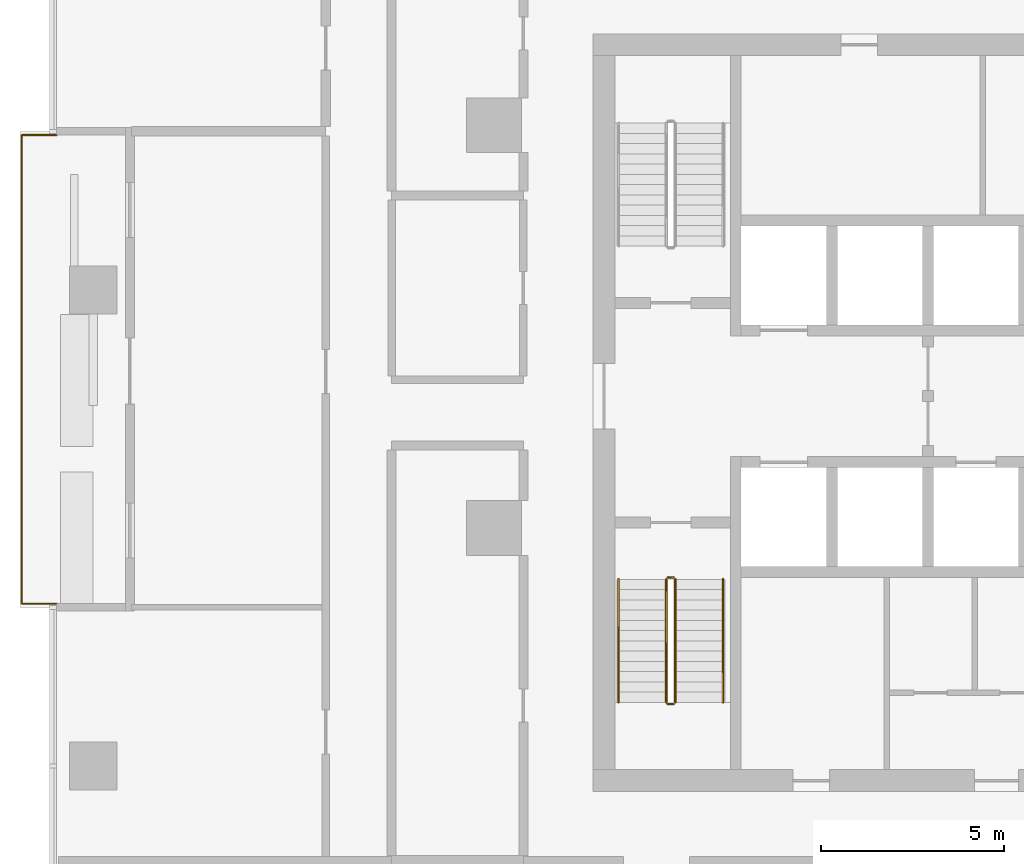
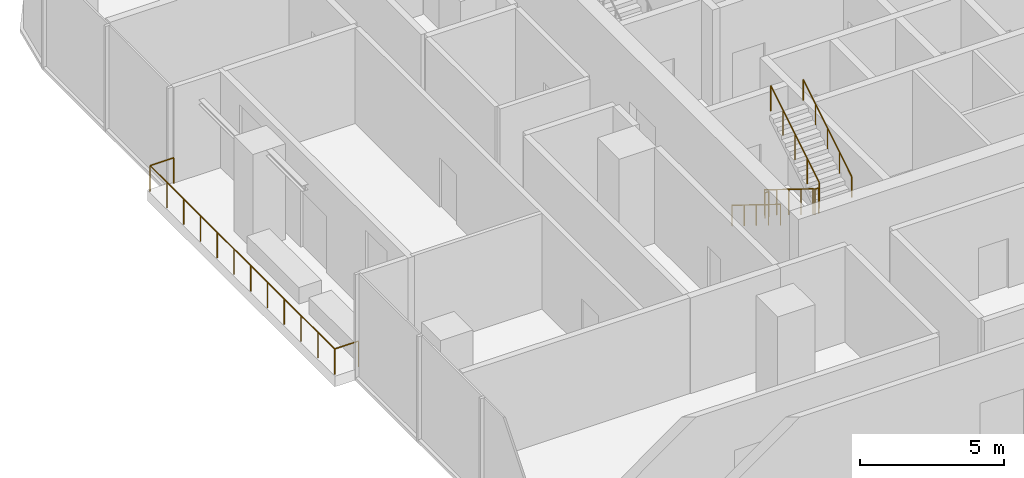
# One storey, part 12 of 15: 6 railings.
"""IFC4 building model written with IfcOpenShell, lengths in metres."""

from ifc_helpers import new_model, si_unit, direction, frame, origin, origin_2d, place, context, subcontext, project, spatial, circle, extrude, material, type_object, element, save


model = new_model("IFC4")

# Units and contexts
model_context = context("Model", 3, precision=1e-05, world=origin(), true_north=direction((0.0, 1.0)))
body_context = subcontext(model_context, "Body", "Model", "MODEL_VIEW")
ifc_project = project(units=[si_unit("LENGTHUNIT", "METRE"), si_unit("AREAUNIT", "SQUARE_METRE"), si_unit("VOLUMEUNIT", "CUBIC_METRE"), si_unit("PLANEANGLEUNIT", "RADIAN"), si_unit("MASSUNIT", "GRAM", prefix="KILO")], contexts=[model_context])

# Site, building, storey
site_placement = place(None, origin())
site = spatial("IfcSite", under=ifc_project, at=site_placement, CompositionType="ELEMENT")
building_placement = place(site_placement, origin())
building = spatial("IfcBuilding", under=site, at=building_placement, Name="Mopane Tessera Tower", CompositionType="ELEMENT")
storey_placement = place(building_placement, frame((0.0, 0.0, 99.10009765625)))
storey = spatial("IfcBuildingStorey", under=building, at=storey_placement, Name="L19", CompositionType="ELEMENT", Elevation=99.10009765625)

# Railings
ifc_material_1 = material(Name="Powder-coated steel balustrade", Category="steel")
railing_type_1 = type_object("IfcRailingType", Name="Escape stair guard 1100 mm", PredefinedType="GUARDRAIL", material=ifc_material_1)
railing_1_placement = place(storey_placement, frame((-12.39990234375, -1.39990234375, 0.173095703125)))
element("IfcRailing", 1, at=railing_1_placement, inside=storey, type_object=railing_type_1, Name="L19 ST1 stair guard 1", PredefinedType="GUARDRAIL", context=body_context, shape_type="SweptSolid", body=[
    extrude(circle(Radius=0.02392578125, at=origin_2d()), frame((0.0, 0.0, 1.076171875), z_axis=(0.0, -0.850623216509, 0.525775754039), x_axis=(1.0, 0.0, 0.0)), (0.0, 0.0, 1.0), 3.9501953125),
    extrude(circle(Radius=0.02392578125, at=origin_2d()), frame((0.0, -3.360107421875, 3.15283203125), z_axis=(0.705375805398, -0.708833529934, 0.0), x_axis=(0.708833529934, 0.705375805398, 0.0)), (0.0, 0.0, 1.0), 0.070556640625),
    extrude(circle(Radius=0.02392578125, at=origin_2d()), frame((0.0498046875, -3.41015625, 3.15283203125), z_axis=(1.0, 0.0, 0.0), x_axis=(0.0, 1.0, 0.0)), (0.0, 0.0, 1.0), 0.150146484375),
    extrude(circle(Radius=0.02099609375, at=origin_2d()), origin(), (0.0, 0.0, 1.0), 1.052001953125),
    extrude(circle(Radius=0.02099609375, at=origin_2d()), frame((0.0, -0.840087890625, 0.519287109375)), (0.0, 0.0, 1.0), 1.052001953125),
    extrude(circle(Radius=0.02099609375, at=origin_2d()), frame((0.0, -1.68017578125, 1.03857421875)), (0.0, 0.0, 1.0), 1.052001953125),
    extrude(circle(Radius=0.02099609375, at=origin_2d()), frame((0.0, -2.52001953125, 1.5576171875)), (0.0, 0.0, 1.0), 1.052001953125),
    extrude(circle(Radius=0.02099609375, at=origin_2d()), frame((0.0, -3.360107421875, 2.076904296875)), (0.0, 0.0, 1.0), 1.052001953125),
    extrude(circle(Radius=0.02099609375, at=origin_2d()), frame((0.0498046875, -3.41015625, 2.076904296875)), (0.0, 0.0, 1.0), 1.052001953125),
    extrude(circle(Radius=0.02099609375, at=origin_2d()), frame((0.199951171875, -3.41015625, 2.076904296875)), (0.0, 0.0, 1.0), 1.052001953125),
])
railing_2_placement = place(storey_placement, frame((-12.14990234375, -4.760009765625, 2.423095703125)))
element("IfcRailing", 2, at=railing_2_placement, inside=storey, type_object=railing_type_1, Name="L19 ST1 stair guard 2", PredefinedType="GUARDRAIL", context=body_context, shape_type="SweptSolid", body=[
    extrude(circle(Radius=0.02392578125, at=origin_2d()), frame((0.0, 0.0, 1.076171875), z_axis=(0.0, 0.850623216509, 0.525775754039), x_axis=(-1.0, 0.0, 0.0)), (0.0, 0.0, 1.0), 3.9501953125),
    extrude(circle(Radius=0.02099609375, at=origin_2d()), origin(), (0.0, 0.0, 1.0), 1.052001953125),
    extrude(circle(Radius=0.02099609375, at=origin_2d()), frame((0.0, 0.840087890625, 0.519287109375)), (0.0, 0.0, 1.0), 1.052001953125),
    extrude(circle(Radius=0.02099609375, at=origin_2d()), frame((0.0, 1.68017578125, 1.03857421875)), (0.0, 0.0, 1.0), 1.052001953125),
    extrude(circle(Radius=0.02099609375, at=origin_2d()), frame((0.0, 2.52001953125, 1.5576171875)), (0.0, 0.0, 1.0), 1.052001953125),
    extrude(circle(Radius=0.02099609375, at=origin_2d()), frame((0.0, 3.360107421875, 2.076904296875)), (0.0, 0.0, 1.0), 1.052001953125),
])
railing_3_placement = place(storey_placement, frame((-12.35009765625, -1.35009765625, 0.0)))
element("IfcRailing", 3, at=railing_3_placement, inside=storey, type_object=railing_type_1, Name="L19 ST1 stair guard 3", PredefinedType="GUARDRAIL", context=body_context, shape_type="SweptSolid", body=[
    extrude(circle(Radius=0.02392578125, at=origin_2d()), frame((0.0, 0.0, 1.076171875), z_axis=(1.0, 0.0, 0.0), x_axis=(0.0, 1.0, 0.0)), (0.0, 0.0, 1.0), 0.150146484375),
    extrude(circle(Radius=0.02099609375, at=origin_2d()), origin(), (0.0, 0.0, 1.0), 1.052001953125),
    extrude(circle(Radius=0.02099609375, at=origin_2d()), frame((0.150146484375, 0.0, 0.0)), (0.0, 0.0, 1.0), 1.052001953125),
])
ifc_material_2 = material(Name="Powder-coated steel balustrade", Category="steel")
railing_type_2 = type_object("IfcRailingType", Name="Escape stair handrail 900 mm", PredefinedType="HANDRAIL", material=ifc_material_2)
railing_4_placement = place(storey_placement, frame((-13.699951171875, -1.39990234375, 0.173095703125)))
element("IfcRailing", 4, at=railing_4_placement, inside=storey, type_object=railing_type_2, Name="L19 ST1 stair handrail 1", PredefinedType="HANDRAIL", context=body_context, shape_type="SweptSolid", body=[
    extrude(circle(Radius=0.02392578125, at=origin_2d()), frame((0.0, 0.0, 0.8759765625), z_axis=(0.0, -0.850623216509, 0.525775754039), x_axis=(1.0, 0.0, 0.0)), (0.0, 0.0, 1.0), 3.9501953125),
    extrude(circle(Radius=0.02099609375, at=origin_2d()), origin(), (0.0, 0.0, 1.0), 0.851806640625),
    extrude(circle(Radius=0.02099609375, at=origin_2d()), frame((0.0, -0.840087890625, 0.519287109375)), (0.0, 0.0, 1.0), 0.851806640625),
    extrude(circle(Radius=0.02099609375, at=origin_2d()), frame((0.0, -1.68017578125, 1.03857421875)), (0.0, 0.0, 1.0), 0.851806640625),
    extrude(circle(Radius=0.02099609375, at=origin_2d()), frame((0.0, -2.52001953125, 1.5576171875)), (0.0, 0.0, 1.0), 0.851806640625),
    extrude(circle(Radius=0.02099609375, at=origin_2d()), frame((0.0, -3.360107421875, 2.076904296875)), (0.0, 0.0, 1.0), 0.851806640625),
])
railing_5_placement = place(storey_placement, frame((-10.85009765625, -4.760009765625, 2.423095703125)))
element("IfcRailing", 5, at=railing_5_placement, inside=storey, type_object=railing_type_2, Name="L19 ST1 stair handrail 2", PredefinedType="HANDRAIL", context=body_context, shape_type="SweptSolid", body=[
    extrude(circle(Radius=0.02392578125, at=origin_2d()), frame((0.0, 0.0, 0.8759765625), z_axis=(0.0, 0.850623216509, 0.525775754039), x_axis=(-1.0, 0.0, 0.0)), (0.0, 0.0, 1.0), 3.9501953125),
    extrude(circle(Radius=0.02099609375, at=origin_2d()), origin(), (0.0, 0.0, 1.0), 0.851806640625),
    extrude(circle(Radius=0.02099609375, at=origin_2d()), frame((0.0, 0.840087890625, 0.519287109375)), (0.0, 0.0, 1.0), 0.851806640625),
    extrude(circle(Radius=0.02099609375, at=origin_2d()), frame((0.0, 1.68017578125, 1.03857421875)), (0.0, 0.0, 1.0), 0.851806640625),
    extrude(circle(Radius=0.02099609375, at=origin_2d()), frame((0.0, 2.52001953125, 1.5576171875)), (0.0, 0.0, 1.0), 0.851806640625),
    extrude(circle(Radius=0.02099609375, at=origin_2d()), frame((0.0, 3.360107421875, 2.076904296875)), (0.0, 0.0, 1.0), 0.851806640625),
])
ifc_material_3 = material(Name="Stainless steel S316", Category="steel")
railing_type_3 = type_object("IfcRailingType", Name="Terrace guard 1100", PredefinedType="GUARDRAIL", material=ifc_material_3)
railing_6_placement = place(storey_placement, frame((-29.050048828125, 10.7333984375, 0.0)))
element("IfcRailing", 6, at=railing_6_placement, inside=storey, type_object=railing_type_3, Name="e:nw:L19:N2:guard", PredefinedType="GUARDRAIL", context=body_context, shape_type="SweptSolid", body=[
    extrude(circle(Radius=0.02392578125, at=origin_2d()), frame((0.0, 0.0, 1.076171875), z_axis=(-1.0, 0.0, 0.0), x_axis=(0.0, -1.0, 0.0)), (0.0, 0.0, 1.0), 0.949951171875),
    extrude(circle(Radius=0.02392578125, at=origin_2d()), frame((-0.949951171875, 0.0, 1.076171875), z_axis=(0.0, -1.0, 0.0), x_axis=(1.0, 0.0, 0.0)), (0.0, 0.0, 1.0), 12.800048828125),
    extrude(circle(Radius=0.02392578125, at=origin_2d()), frame((-0.949951171875, -12.800048828125, 1.076171875), z_axis=(1.0, 0.0, 0.0), x_axis=(0.0, 1.0, 0.0)), (0.0, 0.0, 1.0), 0.949951171875),
    extrude(circle(Radius=0.02099609375, at=origin_2d()), origin(), (0.0, 0.0, 1.0), 1.052001953125),
    extrude(circle(Radius=0.02099609375, at=origin_2d()), frame((-0.949951171875, 0.0, 0.0)), (0.0, 0.0, 1.0), 1.052001953125),
    extrude(circle(Radius=0.02099609375, at=origin_2d()), frame((-0.949951171875, -1.16357421875, 0.0)), (0.0, 0.0, 1.0), 1.052001953125),
    extrude(circle(Radius=0.02099609375, at=origin_2d()), frame((-0.949951171875, -2.327392578125, 0.0)), (0.0, 0.0, 1.0), 1.052001953125),
    extrude(circle(Radius=0.02099609375, at=origin_2d()), frame((-0.949951171875, -3.490966796875, 0.0)), (0.0, 0.0, 1.0), 1.052001953125),
    extrude(circle(Radius=0.02099609375, at=origin_2d()), frame((-0.949951171875, -4.654541015625, 0.0)), (0.0, 0.0, 1.0), 1.052001953125),
    extrude(circle(Radius=0.02099609375, at=origin_2d()), frame((-0.949951171875, -5.818115234375, 0.0)), (0.0, 0.0, 1.0), 1.052001953125),
    extrude(circle(Radius=0.02099609375, at=origin_2d()), frame((-0.949951171875, -6.98193359375, 0.0)), (0.0, 0.0, 1.0), 1.052001953125),
    extrude(circle(Radius=0.02099609375, at=origin_2d()), frame((-0.949951171875, -8.1455078125, 0.0)), (0.0, 0.0, 1.0), 1.052001953125),
    extrude(circle(Radius=0.02099609375, at=origin_2d()), frame((-0.949951171875, -9.30908203125, 0.0)), (0.0, 0.0, 1.0), 1.052001953125),
    extrude(circle(Radius=0.02099609375, at=origin_2d()), frame((-0.949951171875, -10.47265625, 0.0)), (0.0, 0.0, 1.0), 1.052001953125),
    extrude(circle(Radius=0.02099609375, at=origin_2d()), frame((-0.949951171875, -11.636474609375, 0.0)), (0.0, 0.0, 1.0), 1.052001953125),
    extrude(circle(Radius=0.02099609375, at=origin_2d()), frame((-0.949951171875, -12.800048828125, 0.0)), (0.0, 0.0, 1.0), 1.052001953125),
    extrude(circle(Radius=0.02099609375, at=origin_2d()), frame((0.0, -12.800048828125, 0.0)), (0.0, 0.0, 1.0), 1.052001953125),
])

save(model, "model.ifc")
